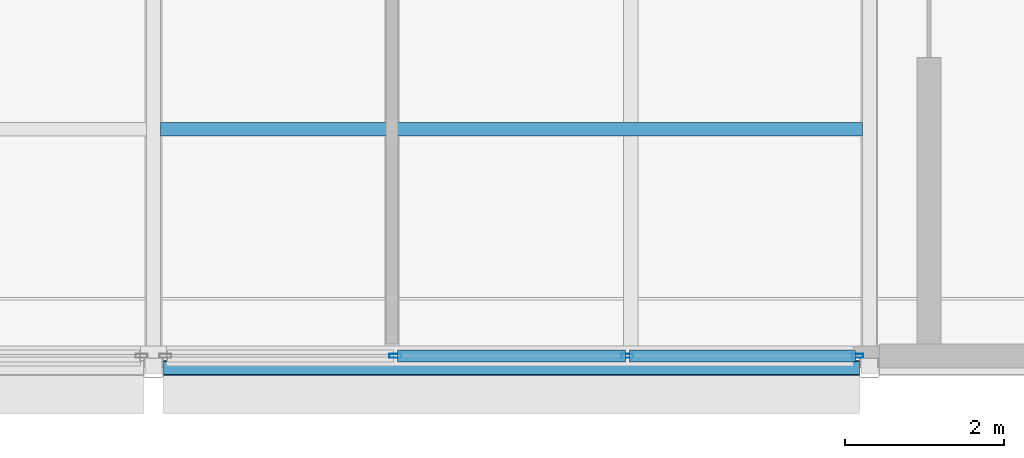
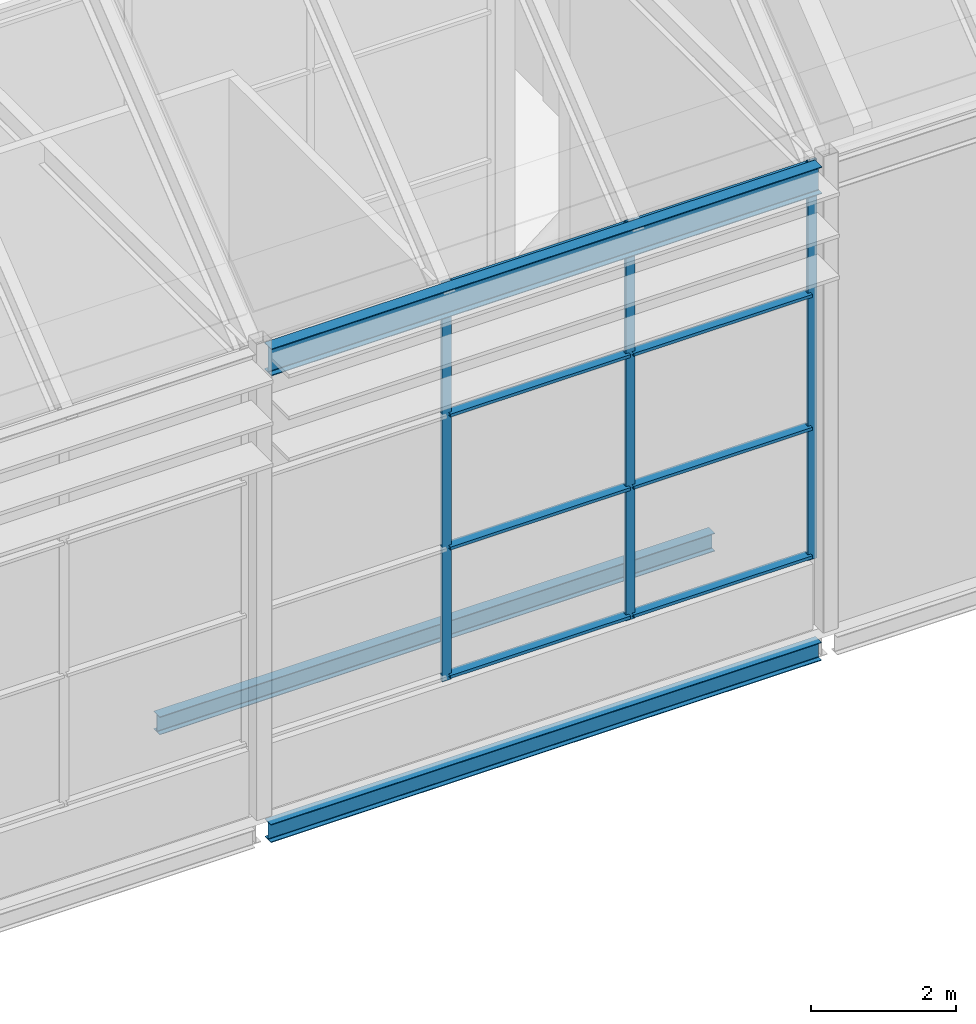
# One storey, part 59 of 144: 11 members, 3 beams, 1 element without a shape of its own.
"""IFC4 building model written with IfcOpenShell, lengths in metres."""

from ifc_helpers import new_model, si_unit, direction, frame, origin, origin_2d, place, context, subcontext, project, spatial, hollow_rectangle, i_section, extrude, material, layer, layer_set, material_profile, profile_set, type_object, element, aggregate, save


model = new_model("IFC4")

# Units and contexts
model_context = context("Model", 3, precision=1e-05, world=origin(), true_north=direction((0.0, 1.0)))
body_context = subcontext(model_context, "Body", "Model", "MODEL_VIEW")
ifc_project = project(units=[si_unit("LENGTHUNIT", "METRE"), si_unit("AREAUNIT", "SQUARE_METRE"), si_unit("VOLUMEUNIT", "CUBIC_METRE"), si_unit("PLANEANGLEUNIT", "RADIAN"), si_unit("MASSUNIT", "GRAM", prefix="KILO")], contexts=[model_context])

# Site, building, storey
site_placement = place(None, origin())
site = spatial("IfcSite", under=ifc_project, at=site_placement, CompositionType="ELEMENT")
building_placement = place(site_placement, origin())
building = spatial("IfcBuilding", under=site, at=building_placement, Name="Shorebreak Coast Museum", CompositionType="ELEMENT")
storey_placement = place(building_placement, frame((0.0, 0.0, 36.0)))
storey = spatial("IfcBuildingStorey", under=building, at=storey_placement, Name="L06", CompositionType="ELEMENT", Elevation=36.0)

# Beams
ifc_material_1 = material(Name="Steel Grade 300", Category="steel")
ifc_material_profile_1 = material_profile(ifc_material_1, i_section(OverallWidth=0.166015625, OverallDepth=0.30712890625, WebThickness=0.006591796875, FlangeThickness=0.01171875, FilletRadius=0.011474609375, at=origin_2d()), Name="310UB46.2")
ifc_profile_set_1 = profile_set([ifc_material_profile_1], Name="Steel Grade 300")
beam_type_1 = type_object("IfcBeamType", Name="Floor girder east-west 310UB46.2", PredefinedType="BEAM", material=ifc_profile_set_1)
beam_1_placement = place(storey_placement, frame((99.125, 54.0, -0.32861328125), z_axis=(1.0, 0.0, 0.0), x_axis=(0.0, 1.0, 0.0)))
element("IfcBeam", 1, at=beam_1_placement, inside=storey, type_object=beam_type_1, Name="Floor girder east-west L06 12G", PredefinedType="BEAM", context=body_context, shape_type="SweptSolid", body=[
    extrude(i_section(OverallWidth=0.166015625, OverallDepth=0.30712890625, WebThickness=0.006591796875, FlangeThickness=0.01171875, FilletRadius=0.011474609375, at=origin_2d()), origin(), (0.0, 0.0, 1.0), 8.75),
])
ifc_material_2 = material(Name="Steel Grade 300", Category="steel")
ifc_material_profile_2 = material_profile(ifc_material_2, i_section(OverallWidth=0.1650390625, OverallDepth=0.303955078125, WebThickness=0.006103515625, FlangeThickness=0.01025390625, FilletRadius=0.011474609375, at=origin_2d()), Name="310UB40.4")
ifc_profile_set_2 = profile_set([ifc_material_profile_2], Name="Steel Grade 300")
beam_type_2 = type_object("IfcBeamType", Name="Floor joist 310UB40.4", PredefinedType="JOIST", material=ifc_profile_set_2)
beam_2_placement = place(storey_placement, frame((99.089111328125, 57.0, -0.326904296875), z_axis=(1.0, 0.0, 0.0), x_axis=(0.0, 1.0, 0.0)))
element("IfcBeam", 2, at=beam_2_placement, inside=storey, type_object=beam_type_2, Name="Floor joist L06 bay 12G at 3000 mm", PredefinedType="JOIST", context=body_context, shape_type="SweptSolid", body=[
    extrude(i_section(OverallWidth=0.1650390625, OverallDepth=0.303955078125, WebThickness=0.006103515625, FlangeThickness=0.01025390625, FilletRadius=0.011474609375, at=origin_2d()), origin(), (0.0, 0.0, 1.0), 8.82177734375),
])
ifc_material_3 = material(Name="Steel Grade 300", Category="steel")
ifc_material_profile_3 = material_profile(ifc_material_3, i_section(OverallWidth=0.18994140625, OverallDepth=0.453857421875, WebThickness=0.008544921875, FlangeThickness=0.0126953125, FilletRadius=0.011474609375, at=origin_2d()), Name="460UB67.1")
ifc_profile_set_3 = profile_set([ifc_material_profile_3], Name="Steel Grade 300")
beam_type_3 = type_object("IfcBeamType", Name="Fold valley girder 460UB67.1", PredefinedType="BEAM", material=ifc_profile_set_3)
beam_3_placement = place(storey_placement, frame((99.125, 54.0, 7.593017578125), z_axis=(1.0, 0.0, 0.0), x_axis=(0.0, 1.0, 0.0)))
element("IfcBeam", 3, at=beam_3_placement, inside=storey, type_object=beam_type_3, Name="Fold valley girder FOLD-X line G bay 12G", PredefinedType="BEAM", context=body_context, shape_type="SweptSolid", body=[
    extrude(i_section(OverallWidth=0.18994140625, OverallDepth=0.453857421875, WebThickness=0.008544921875, FlangeThickness=0.0126953125, FilletRadius=0.011474609375, at=origin_2d()), origin(), (0.0, 0.0, 1.0), 8.75),
])

# Curtain wall, members
ifc_material_4 = material(Name="Aluminium", Category="aluminium")
ifc_layer = layer(ifc_material_4, 0.14990234375)
ifc_layer_set = layer_set([ifc_layer], Name="Aluminium")
curtain_wall_type = type_object("IfcCurtainWallType", Name="Storefront curtain wall", PredefinedType="NOTDEFINED", material=ifc_layer_set)
curtain_wall_placement = place(storey_placement, origin())
curtain_wall = element("IfcCurtainWall", 4, at=curtain_wall_placement, inside=storey, type_object=curtain_wall_type, Name="Atrium Hall glazing L06 S 26", PredefinedType="NOTDEFINED")
ifc_material_5 = material(Name="Aluminium", Category="aluminium")
ifc_material_profile_4 = material_profile(ifc_material_5, hollow_rectangle(XDim=0.050048828125, YDim=0.14990234375, WallThickness=0.00390625, at=origin_2d()), Name="AL 150x50 RHS")
ifc_profile_set_4 = profile_set([ifc_material_profile_4], Name="Aluminium")
member_type_1 = type_object("IfcMemberType", Name="Storefront mullion 50 x 150", PredefinedType="MULLION", material=ifc_profile_set_4)
member_1_placement = place(storey_placement, frame((102.041748046875, 54.14990234375, 1.10009765625), z_axis=(0.0, 0.0, 1.0), x_axis=(0.0, 1.0, 0.0)))
member_1 = element("IfcMember", 5, at=member_1_placement, type_object=member_type_1, Name="CW5 mullion 2", PredefinedType="MULLION", context=body_context, shape_type="SweptSolid", body=[
    extrude(hollow_rectangle(XDim=0.050048828125, YDim=0.14990234375, WallThickness=0.00390625, at=origin_2d()), origin(), (0.0, 0.0, 1.0), 6.699951171875),
])
member_2_placement = place(storey_placement, frame((104.958251953125, 54.14990234375, 1.10009765625), z_axis=(0.0, 0.0, 1.0), x_axis=(0.0, 1.0, 0.0)))
member_2 = element("IfcMember", 6, at=member_2_placement, type_object=member_type_1, Name="CW5 mullion 3", PredefinedType="MULLION", context=body_context, shape_type="SweptSolid", body=[
    extrude(hollow_rectangle(XDim=0.050048828125, YDim=0.14990234375, WallThickness=0.00390625, at=origin_2d()), origin(), (0.0, 0.0, 1.0), 6.699951171875),
])
member_3_placement = place(storey_placement, frame((107.85009765625, 54.14990234375, 1.10009765625), z_axis=(0.0, 0.0, 1.0), x_axis=(0.0, 1.0, 0.0)))
member_3 = element("IfcMember", 7, at=member_3_placement, type_object=member_type_1, Name="CW5 mullion 4", PredefinedType="MULLION", context=body_context, shape_type="SweptSolid", body=[
    extrude(hollow_rectangle(XDim=0.050048828125, YDim=0.14990234375, WallThickness=0.00390625, at=origin_2d()), origin(), (0.0, 0.0, 1.0), 6.699951171875),
])
ifc_material_6 = material(Name="Aluminium", Category="aluminium")
ifc_material_profile_5 = material_profile(ifc_material_6, hollow_rectangle(XDim=0.14990234375, YDim=0.050048828125, WallThickness=0.00390625, at=origin_2d()), Name="AL 50x150 RHS")
ifc_profile_set_5 = profile_set([ifc_material_profile_5], Name="Aluminium")
member_type_2 = type_object("IfcMemberType", Name="Storefront transom 150 x 50", PredefinedType="USERDEFINED", material=ifc_profile_set_5)
member_4_placement = place(storey_placement, frame((102.066650390625, 54.14990234375, 1.175048828125), z_axis=(1.0, 0.0, 0.0), x_axis=(0.0, 1.0, 0.0)))
member_4 = element("IfcMember", 8, at=member_4_placement, type_object=member_type_2, Name="CW5 transom 2.1", ObjectType="TRANSOM", PredefinedType="USERDEFINED", context=body_context, shape_type="SweptSolid", body=[
    extrude(hollow_rectangle(XDim=0.14990234375, YDim=0.050048828125, WallThickness=0.00390625, at=origin_2d()), origin(), (0.0, 0.0, 1.0), 2.86669921875),
])
member_5_placement = place(storey_placement, frame((102.066650390625, 54.14990234375, 3.333251953125), z_axis=(1.0, 0.0, 0.0), x_axis=(0.0, 1.0, 0.0)))
member_5 = element("IfcMember", 9, at=member_5_placement, type_object=member_type_2, Name="CW5 transom 2.2", ObjectType="TRANSOM", PredefinedType="USERDEFINED", context=body_context, shape_type="SweptSolid", body=[
    extrude(hollow_rectangle(XDim=0.14990234375, YDim=0.050048828125, WallThickness=0.00390625, at=origin_2d()), origin(), (0.0, 0.0, 1.0), 2.86669921875),
])
member_6_placement = place(storey_placement, frame((102.066650390625, 54.14990234375, 5.566650390625), z_axis=(1.0, 0.0, 0.0), x_axis=(0.0, 1.0, 0.0)))
member_6 = element("IfcMember", 10, at=member_6_placement, type_object=member_type_2, Name="CW5 transom 2.3", ObjectType="TRANSOM", PredefinedType="USERDEFINED", context=body_context, shape_type="SweptSolid", body=[
    extrude(hollow_rectangle(XDim=0.14990234375, YDim=0.050048828125, WallThickness=0.00390625, at=origin_2d()), origin(), (0.0, 0.0, 1.0), 2.86669921875),
])
member_7_placement = place(storey_placement, frame((102.066650390625, 54.14990234375, 7.72509765625), z_axis=(1.0, 0.0, 0.0), x_axis=(0.0, 1.0, 0.0)))
member_7 = element("IfcMember", 11, at=member_7_placement, type_object=member_type_2, Name="CW5 transom 2.4", ObjectType="TRANSOM", PredefinedType="USERDEFINED", context=body_context, shape_type="SweptSolid", body=[
    extrude(hollow_rectangle(XDim=0.14990234375, YDim=0.050048828125, WallThickness=0.00390625, at=origin_2d()), origin(), (0.0, 0.0, 1.0), 2.86669921875),
])
member_8_placement = place(storey_placement, frame((104.9833984375, 54.14990234375, 1.175048828125), z_axis=(1.0, 0.0, 0.0), x_axis=(0.0, 1.0, 0.0)))
member_8 = element("IfcMember", 12, at=member_8_placement, type_object=member_type_2, Name="CW5 transom 3.1", ObjectType="TRANSOM", PredefinedType="USERDEFINED", context=body_context, shape_type="SweptSolid", body=[
    extrude(hollow_rectangle(XDim=0.14990234375, YDim=0.050048828125, WallThickness=0.00390625, at=origin_2d()), origin(), (0.0, 0.0, 1.0), 2.841552734375),
])
member_9_placement = place(storey_placement, frame((104.9833984375, 54.14990234375, 3.333251953125), z_axis=(1.0, 0.0, 0.0), x_axis=(0.0, 1.0, 0.0)))
member_9 = element("IfcMember", 13, at=member_9_placement, type_object=member_type_2, Name="CW5 transom 3.2", ObjectType="TRANSOM", PredefinedType="USERDEFINED", context=body_context, shape_type="SweptSolid", body=[
    extrude(hollow_rectangle(XDim=0.14990234375, YDim=0.050048828125, WallThickness=0.00390625, at=origin_2d()), origin(), (0.0, 0.0, 1.0), 2.841552734375),
])
member_10_placement = place(storey_placement, frame((104.9833984375, 54.14990234375, 5.566650390625), z_axis=(1.0, 0.0, 0.0), x_axis=(0.0, 1.0, 0.0)))
member_10 = element("IfcMember", 14, at=member_10_placement, type_object=member_type_2, Name="CW5 transom 3.3", ObjectType="TRANSOM", PredefinedType="USERDEFINED", context=body_context, shape_type="SweptSolid", body=[
    extrude(hollow_rectangle(XDim=0.14990234375, YDim=0.050048828125, WallThickness=0.00390625, at=origin_2d()), origin(), (0.0, 0.0, 1.0), 2.841552734375),
])
member_11_placement = place(storey_placement, frame((104.9833984375, 54.14990234375, 7.72509765625), z_axis=(1.0, 0.0, 0.0), x_axis=(0.0, 1.0, 0.0)))
member_11 = element("IfcMember", 15, at=member_11_placement, type_object=member_type_2, Name="CW5 transom 3.4", ObjectType="TRANSOM", PredefinedType="USERDEFINED", context=body_context, shape_type="SweptSolid", body=[
    extrude(hollow_rectangle(XDim=0.14990234375, YDim=0.050048828125, WallThickness=0.00390625, at=origin_2d()), origin(), (0.0, 0.0, 1.0), 2.841552734375),
])
aggregate(curtain_wall, [member_1, member_2, member_3, member_4, member_5, member_6, member_7, member_8, member_9, member_10, member_11])

save(model, "model.ifc")
